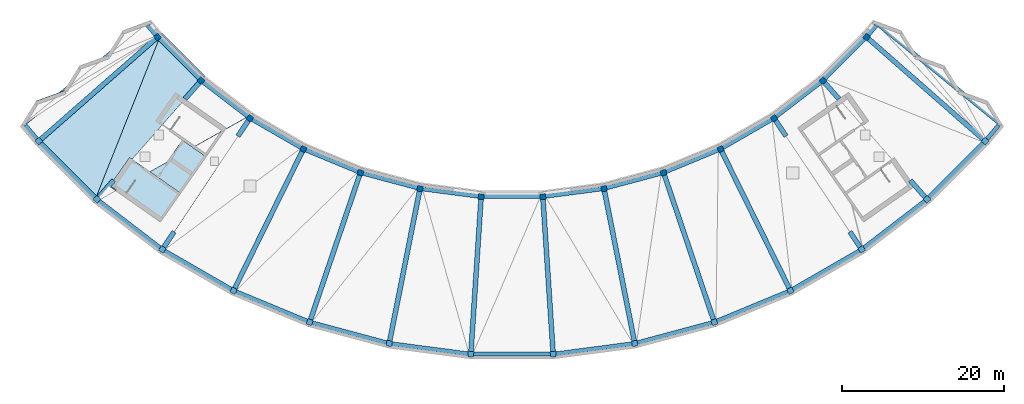
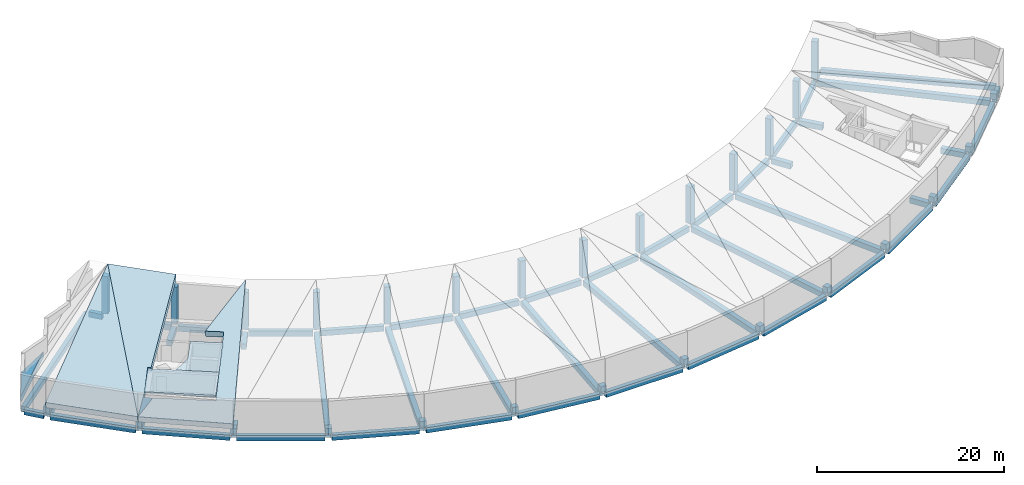
# One storey, part 1 of 6: 50 beams, 28 columns, 7 slabs.
"""IFC4 building model written with IfcOpenShell, lengths in metres."""

from ifc_helpers import new_model, si_unit, direction, frame, origin, origin_2d, place, context, subcontext, project, spatial, polyline, rectangle, outline, extrude, material, layer, layer_set, material_profile, profile_set, type_object, element, save


model = new_model("IFC4")

# Units and contexts
model_context = context("Model", 3, precision=1e-05, world=origin(), true_north=direction((0.0, 1.0)))
body_context = subcontext(model_context, "Body", "Model", "MODEL_VIEW")
ifc_project = project(units=[si_unit("LENGTHUNIT", "METRE"), si_unit("AREAUNIT", "SQUARE_METRE"), si_unit("VOLUMEUNIT", "CUBIC_METRE"), si_unit("PLANEANGLEUNIT", "RADIAN"), si_unit("MASSUNIT", "GRAM", prefix="KILO")], contexts=[model_context])

# Site, building, storey
site_placement = place(None, origin())
site = spatial("IfcSite", under=ifc_project, at=site_placement, CompositionType="ELEMENT")
building_placement = place(site_placement, origin())
building = spatial("IfcBuilding", under=site, at=building_placement, Name="Qamariyya Broadcast Tower", CompositionType="ELEMENT")
storey_placement = place(building_placement, frame((0.0, 0.0, 318.699951171875)))
storey = spatial("IfcBuildingStorey", under=building, at=storey_placement, Name="Roof", CompositionType="ELEMENT", Elevation=318.699951171875)

# Columns
ifc_material_1 = material(Name="Concrete C50/60", Category="concrete")
ifc_material_profile_1 = material_profile(ifc_material_1, rectangle(XDim=0.699951171875, YDim=0.699951171875, at=origin_2d()))
ifc_profile_set_1 = profile_set([ifc_material_profile_1], Name="Concrete C50/60")
column_type_1 = type_object("IfcColumnType", Name="RC column 700 x 700 C50/60 to roof 4875", PredefinedType="COLUMN", material=ifc_profile_set_1)
for number, where, z_axis, x_axis, name in (
    (1, (-43.794677734375, -38.406982421875, 0.0), (0.0, 0.0, 1.0), (0.6593458151, -0.751839807479, 0.0), "Column C14 Roof B-R04"),
    (2, (-38.406982421875, -43.794677734375, 0.0), (0.0, 0.0, 1.0), (0.751839807479, -0.6593458151, 0.0), "Column C14 Roof B-R05"),
    (3, (-32.362060546875, -48.43310546875, 0.0), (0.0, 0.0, 1.0), (0.831469612303, -0.55557023302, 0.0), "Column C14 Roof B-R06"),
    (4, (-25.763427734375, -52.242919921875, 0.0), (0.0, 0.0, 1.0), (0.896872741533, -0.442288690219, 0.0), "Column C14 Roof B-R07"),
    (5, (-18.723876953125, -55.15869140625, 0.0), (0.0, 0.0, 1.0), (0.946930129495, -0.321439465303, 0.0), "Column C14 Roof B-R08"),
    (6, (-11.364013671875, -57.130859375, 0.0), (0.0, 0.0, 1.0), (0.980785280403, -0.195090322016, 0.0), "Column C14 Roof B-R09"),
    (7, (-3.809814453125, -58.125244140625, 0.0), (0.0, 0.0, 1.0), (0.997858923239, -0.06540312923, 0.0), "Column C14 Roof B-R10"),
    (8, (3.809814453125, -58.125244140625, 0.0), (0.0, 0.0, 1.0), (0.997858923239, 0.06540312923, 0.0), "Column C14 Roof B-R11"),
    (9, (11.364013671875, -57.130859375, 0.0), (0.0, 0.0, 1.0), (0.980785280403, 0.195090322016, 0.0), "Column C14 Roof B-R12"),
    (10, (18.723876953125, -55.15869140625, 0.0), (0.0, 0.0, 1.0), (0.946930129495, 0.321439465303, 0.0), "Column C14 Roof B-R13"),
    (11, (25.763427734375, -52.242919921875, 0.0), (0.0, 0.0, 1.0), (0.896872741533, 0.442288690219, 0.0), "Column C14 Roof B-R14"),
    (12, (32.362060546875, -48.43310546875, 0.0), (0.0, 0.0, 1.0), (0.831469612303, 0.55557023302, 0.0), "Column C14 Roof B-R15"),
    (13, (38.406982421875, -43.794677734375, 0.0), (0.0, 0.0, 1.0), (0.751839807479, 0.6593458151, 0.0), "Column C14 Roof B-R16"),
    (14, (43.794677734375, -38.406982421875, 0.0), (0.0, 0.0, 1.0), (0.6593458151, 0.751839807479, 0.0), "Column C14 Roof B-R17"),
):
    element("IfcColumn", number, at=place(storey_placement, frame(where, z_axis=z_axis, x_axis=x_axis)), inside=storey, type_object=column_type_1, Name=name, PredefinedType="COLUMN", context=body_context, shape_type="SweptSolid", body=[
        extrude(rectangle(XDim=0.699951171875, YDim=0.699951171875, at=origin_2d()), origin(), (0.0, 0.0, 1.0), 4.875),
    ])
ifc_material_profile_2 = material_profile(ifc_material_1, rectangle(XDim=0.699951171875, YDim=0.699951171875, at=origin_2d()))
ifc_profile_set_2 = profile_set([ifc_material_profile_2], Name="Concrete C50/60")
column_type_2 = type_object("IfcColumnType", Name="RC column 700 x 700 C50/60 to roof 730", PredefinedType="COLUMN", material=ifc_profile_set_2)
for number, where, z_axis, x_axis, name in (
    (15, (-58.45556640625, -51.26416015625, 0.0), (0.0, 0.0, 1.0), (0.6593458151, -0.751839807479, 0.0), "Column C15 Roof C-R04"),
    (16, (-51.26416015625, -58.45556640625, 0.0), (0.0, 0.0, 1.0), (0.751839807479, -0.6593458151, 0.0), "Column C15 Roof C-R05"),
    (17, (-43.195556640625, -64.646728515625, 0.0), (0.0, 0.0, 1.0), (0.831469612303, -0.55557023302, 0.0), "Column C15 Roof C-R06"),
    (18, (-34.387939453125, -69.73193359375, 0.0), (0.0, 0.0, 1.0), (0.896872741533, -0.442288690219, 0.0), "Column C15 Roof C-R07"),
    (19, (-24.991943359375, -73.623779296875, 0.0), (0.0, 0.0, 1.0), (0.946930129495, -0.321439465303, 0.0), "Column C15 Roof C-R08"),
    (20, (-15.168212890625, -76.256103515625, 0.0), (0.0, 0.0, 1.0), (0.980785280403, -0.195090322016, 0.0), "Column C15 Roof C-R09"),
    (21, (-5.085205078125, -77.58349609375, 0.0), (0.0, 0.0, 1.0), (0.997858923239, -0.06540312923, 0.0), "Column C15 Roof C-R10"),
    (22, (5.085205078125, -77.58349609375, 0.0), (0.0, 0.0, 1.0), (0.997858923239, 0.06540312923, 0.0), "Column C15 Roof C-R11"),
    (23, (15.168212890625, -76.256103515625, 0.0), (0.0, 0.0, 1.0), (0.980785280403, 0.195090322016, 0.0), "Column C15 Roof C-R12"),
    (24, (24.991943359375, -73.623779296875, 0.0), (0.0, 0.0, 1.0), (0.946930129495, 0.321439465303, 0.0), "Column C15 Roof C-R13"),
    (25, (34.387939453125, -69.73193359375, 0.0), (0.0, 0.0, 1.0), (0.896872741533, 0.442288690219, 0.0), "Column C15 Roof C-R14"),
    (26, (43.195556640625, -64.646728515625, 0.0), (0.0, 0.0, 1.0), (0.831469612303, 0.55557023302, 0.0), "Column C15 Roof C-R15"),
    (27, (51.26416015625, -58.45556640625, 0.0), (0.0, 0.0, 1.0), (0.751839807479, 0.6593458151, 0.0), "Column C15 Roof C-R16"),
    (28, (58.45556640625, -51.26416015625, 0.0), (0.0, 0.0, 1.0), (0.6593458151, 0.751839807479, 0.0), "Column C15 Roof C-R17"),
):
    element("IfcColumn", number, at=place(storey_placement, frame(where, z_axis=z_axis, x_axis=x_axis)), inside=storey, type_object=column_type_2, Name=name, PredefinedType="COLUMN", context=body_context, shape_type="SweptSolid", body=[
        extrude(rectangle(XDim=0.699951171875, YDim=0.699951171875, at=origin_2d()), origin(), (0.0, 0.0, 1.0), 0.72998046875),
    ])

# Beams
ifc_material_2 = material(Name="Concrete C40/50", Category="concrete")
ifc_material_profile_3 = material_profile(ifc_material_2, rectangle(XDim=0.5, YDim=0.699951171875, at=origin_2d()))
ifc_profile_set_3 = profile_set([ifc_material_profile_3], Name="Concrete C40/50")
beam_type_1 = type_object("IfcBeamType", Name="RC edge beam 500 x 700 C40/50", PredefinedType="SPANDREL", material=ifc_profile_set_3)
beam_1_placement = place(storey_placement, frame((-43.546630859375, -38.655029296875, -0.599853515625), z_axis=(0.707106781187, -0.707106781187, 0.0), x_axis=(0.707106781187, 0.707106781187, 0.0)))
element("IfcBeam", 29, at=beam_1_placement, inside=storey, type_object=beam_type_1, Name="Edge beam B32 Roof B R04-R05", PredefinedType="SPANDREL", context=body_context, shape_type="SweptSolid", body=[
    extrude(rectangle(XDim=0.5, YDim=0.699951171875, at=origin_2d()), origin(), (0.0, 0.0, 1.0), 6.917724609375),
])
beam_2_placement = place(storey_placement, frame((-38.128662109375, -44.00830078125, -0.599853515625), z_axis=(0.793375122562, -0.608733040749, 0.0), x_axis=(0.608733040749, 0.793375122562, 0.0)))
element("IfcBeam", 30, at=beam_2_placement, inside=storey, type_object=beam_type_1, Name="Edge beam B32 Roof B R05-R06", PredefinedType="SPANDREL", context=body_context, shape_type="SweptSolid", body=[
    extrude(rectangle(XDim=0.5, YDim=0.699951171875, at=origin_2d()), origin(), (0.0, 0.0, 1.0), 6.91796875),
])
beam_3_placement = place(storey_placement, frame((-32.05810546875, -48.6083984375, -0.599853515625), z_axis=(0.866019264387, -0.500010633597, 0.0), x_axis=(0.500010633597, 0.866019264387, 0.0)))
element("IfcBeam", 31, at=beam_3_placement, inside=storey, type_object=beam_type_1, Name="Edge beam B32 Roof B R06-R07", PredefinedType="SPANDREL", context=body_context, shape_type="SweptSolid", body=[
    extrude(rectangle(XDim=0.5, YDim=0.699951171875, at=origin_2d()), origin(), (0.0, 0.0, 1.0), 6.917724609375),
])
for number, where, z_axis, x_axis, name in (
    (32, (-25.439208984375, -52.376953125, -0.599853515625), (0.923875750009, -0.382692564005, 0.0), (0.382692564005, 0.923875750009, 0.0), "Edge beam B32 Roof B R07-R08"),
    (33, (-18.385009765625, -55.24951171875, -0.599853515625), (0.965923791686, -0.258826638225, 0.0), (0.258826638225, 0.965923791686, 0.0), "Edge beam B32 Roof B R08-R09"),
    (34, (-11.016357421875, -57.176513671875, -0.599853515625), (0.991443241272, -0.130538497525, 0.0), (0.130538497525, 0.991443241272, 0.0), "Edge beam B32 Roof B R09-R10"),
    (35, (-3.458984375, -58.125244140625, -0.599853515625), (1.0, 0.0, 0.0), (0.0, 1.0, 0.0), "Edge beam B32 Roof B R10-R11"),
    (36, (4.157470703125, -58.07958984375, -0.599853515625), (0.991443241272, 0.130538497525, 0.0), (-0.130538497525, 0.991443241272, 0.0), "Edge beam B32 Roof B R11-R12"),
    (37, (11.702880859375, -57.0400390625, -0.599853515625), (0.965923791686, 0.258826638225, 0.0), (-0.258826638225, 0.965923791686, 0.0), "Edge beam B32 Roof B R12-R13"),
    (38, (19.0478515625, -55.0244140625, -0.599853515625), (0.923875750009, 0.382692564005, 0.0), (-0.382692564005, 0.923875750009, 0.0), "Edge beam B32 Roof B R13-R14"),
):
    element("IfcBeam", number, at=place(storey_placement, frame(where, z_axis=z_axis, x_axis=x_axis)), inside=storey, type_object=beam_type_1, Name=name, PredefinedType="SPANDREL", context=body_context, shape_type="SweptSolid", body=[
        extrude(rectangle(XDim=0.5, YDim=0.699951171875, at=origin_2d()), origin(), (0.0, 0.0, 1.0), 6.91796875),
    ])
beam_4_placement = place(storey_placement, frame((26.067138671875, -52.0673828125, -0.599853515625), z_axis=(0.866019264387, 0.500010633597, 0.0), x_axis=(-0.500010633597, 0.866019264387, 0.0)))
element("IfcBeam", 39, at=beam_4_placement, inside=storey, type_object=beam_type_1, Name="Edge beam B32 Roof B R14-R15", PredefinedType="SPANDREL", context=body_context, shape_type="SweptSolid", body=[
    extrude(rectangle(XDim=0.5, YDim=0.699951171875, at=origin_2d()), origin(), (0.0, 0.0, 1.0), 6.917724609375),
])
beam_5_placement = place(storey_placement, frame((32.64013671875, -48.219482421875, -0.599853515625), z_axis=(0.793375122562, 0.608733040749, 0.0), x_axis=(-0.608733040749, 0.793375122562, 0.0)))
element("IfcBeam", 40, at=beam_5_placement, inside=storey, type_object=beam_type_1, Name="Edge beam B32 Roof B R15-R16", PredefinedType="SPANDREL", context=body_context, shape_type="SweptSolid", body=[
    extrude(rectangle(XDim=0.5, YDim=0.699951171875, at=origin_2d()), origin(), (0.0, 0.0, 1.0), 6.91796875),
])
beam_6_placement = place(storey_placement, frame((38.655029296875, -43.546630859375, -0.599853515625), z_axis=(0.707106781187, 0.707106781187, 0.0), x_axis=(-0.707106781187, 0.707106781187, 0.0)))
element("IfcBeam", 41, at=beam_6_placement, inside=storey, type_object=beam_type_1, Name="Edge beam B32 Roof B R16-R17", PredefinedType="SPANDREL", context=body_context, shape_type="SweptSolid", body=[
    extrude(rectangle(XDim=0.5, YDim=0.699951171875, at=origin_2d()), origin(), (0.0, 0.0, 1.0), 6.917724609375),
])
beam_7_placement = place(storey_placement, frame((-58.20751953125, -51.51220703125, -0.599853515625), z_axis=(0.707106781187, -0.707106781187, 0.0), x_axis=(0.707106781187, 0.707106781187, 0.0)))
element("IfcBeam", 42, at=beam_7_placement, inside=storey, type_object=beam_type_1, Name="Edge beam B32 Roof C R04-R05", PredefinedType="SPANDREL", context=body_context, shape_type="SweptSolid", body=[
    extrude(rectangle(XDim=0.5, YDim=0.699951171875, at=origin_2d()), origin(), (0.0, 0.0, 1.0), 9.468505859375),
])
for number, where, z_axis, x_axis, name in (
    (43, (-50.98583984375, -58.669189453125, -0.599853515625), (0.793351896926, -0.608763310034, 0.0), (0.608763310034, 0.793351896926, 0.0), "Edge beam B32 Roof C R05-R06"),
    (44, (-42.891845703125, -64.822021484375, -0.599853515625), (0.866025859768, -0.499999210213, 0.0), (0.499999210213, 0.866025859768, 0.0), "Edge beam B32 Roof C R06-R07"),
    (45, (-34.06396484375, -69.865966796875, -0.599853515625), (0.923880447444, -0.382681223514, 0.0), (0.382681223514, 0.923880447444, 0.0), "Edge beam B32 Roof C R07-R08"),
    (46, (-24.653076171875, -73.714599609375, -0.599853515625), (0.965925263205, -0.25882114655, 0.0), (0.25882114655, 0.965925263205, 0.0), "Edge beam B32 Roof C R08-R09"),
    (47, (-14.820556640625, -76.3017578125, -0.599853515625), (0.991442531669, -0.130543886868, 0.0), (0.130543886868, 0.991442531669, 0.0), "Edge beam B32 Roof C R09-R10"),
    (48, (-4.734375, -77.58349609375, -0.599853515625), (1.0, 0.0, 0.0), (0.0, 1.0, 0.0), "Edge beam B32 Roof C R10-R11"),
    (49, (5.432861328125, -77.537841796875, -0.599853515625), (0.991442531669, 0.130543886868, 0.0), (-0.130543886868, 0.991442531669, 0.0), "Edge beam B32 Roof C R11-R12"),
    (50, (15.507080078125, -76.165283203125, -0.599853515625), (0.965925263205, 0.25882114655, 0.0), (-0.25882114655, 0.965925263205, 0.0), "Edge beam B32 Roof C R12-R13"),
    (51, (25.31591796875, -73.489501953125, -0.599853515625), (0.923880447444, 0.382681223514, 0.0), (-0.382681223514, 0.923880447444, 0.0), "Edge beam B32 Roof C R13-R14"),
    (52, (34.691650390625, -69.556396484375, -0.599853515625), (0.866025859768, 0.499999210213, 0.0), (-0.499999210213, 0.866025859768, 0.0), "Edge beam B32 Roof C R14-R15"),
    (53, (43.473876953125, -64.433349609375, -0.599853515625), (0.793351896926, 0.608763310034, 0.0), (-0.608763310034, 0.793351896926, 0.0), "Edge beam B32 Roof C R15-R16"),
):
    element("IfcBeam", number, at=place(storey_placement, frame(where, z_axis=z_axis, x_axis=x_axis)), inside=storey, type_object=beam_type_1, Name=name, PredefinedType="SPANDREL", context=body_context, shape_type="SweptSolid", body=[
        extrude(rectangle(XDim=0.5, YDim=0.699951171875, at=origin_2d()), origin(), (0.0, 0.0, 1.0), 9.46875),
    ])
beam_8_placement = place(storey_placement, frame((51.51220703125, -58.20751953125, -0.599853515625), z_axis=(0.707106781187, 0.707106781187, 0.0), x_axis=(-0.707106781187, 0.707106781187, 0.0)))
element("IfcBeam", 54, at=beam_8_placement, inside=storey, type_object=beam_type_1, Name="Edge beam B32 Roof C R16-R17", PredefinedType="SPANDREL", context=body_context, shape_type="SweptSolid", body=[
    extrude(rectangle(XDim=0.5, YDim=0.699951171875, at=origin_2d()), origin(), (0.0, 0.0, 1.0), 9.468505859375),
])
beam_9_placement = place(storey_placement, frame((-44.020751953125, -38.1396484375, -0.599853515625), z_axis=(-0.645495520921, 0.763764055498, 0.0), x_axis=(-0.763764055498, -0.645495520921, 0.0)))
element("IfcBeam", 55, at=beam_9_placement, inside=storey, type_object=beam_type_1, Name="Horn beam B32 Roof W B-R04", PredefinedType="SPANDREL", context=body_context, shape_type="SweptSolid", body=[
    extrude(rectangle(XDim=0.5, YDim=0.699951171875, at=origin_2d()), origin(), (0.0, 0.0, 1.0), 1.519287109375),
])
beam_10_placement = place(storey_placement, frame((-58.681640625, -50.996826171875, -0.599853515625), z_axis=(-0.645534575363, 0.763731046908, 0.0), x_axis=(-0.763731046908, -0.645534575363, 0.0)))
element("IfcBeam", 56, at=beam_10_placement, inside=storey, type_object=beam_type_1, Name="Horn beam B32 Roof W C-R04", PredefinedType="SPANDREL", context=body_context, shape_type="SweptSolid", body=[
    extrude(rectangle(XDim=0.5, YDim=0.699951171875, at=origin_2d()), origin(), (0.0, 0.0, 1.0), 2.228759765625),
])
beam_11_placement = place(storey_placement, frame((44.020751953125, -38.1396484375, -0.599853515625), z_axis=(0.645495520921, 0.763764055498, 0.0), x_axis=(-0.763764055498, 0.645495520921, 0.0)))
element("IfcBeam", 57, at=beam_11_placement, inside=storey, type_object=beam_type_1, Name="Horn beam B32 Roof E B-R17", PredefinedType="SPANDREL", context=body_context, shape_type="SweptSolid", body=[
    extrude(rectangle(XDim=0.5, YDim=0.699951171875, at=origin_2d()), origin(), (0.0, 0.0, 1.0), 1.519287109375),
])
beam_12_placement = place(storey_placement, frame((58.681640625, -50.996826171875, -0.599853515625), z_axis=(0.645534575363, 0.763731046908, 0.0), x_axis=(-0.763731046908, 0.645534575363, 0.0)))
element("IfcBeam", 58, at=beam_12_placement, inside=storey, type_object=beam_type_1, Name="Horn beam B32 Roof E C-R17", PredefinedType="SPANDREL", context=body_context, shape_type="SweptSolid", body=[
    extrude(rectangle(XDim=0.5, YDim=0.699951171875, at=origin_2d()), origin(), (0.0, 0.0, 1.0), 2.228759765625),
])
ifc_material_profile_4 = material_profile(ifc_material_2, rectangle(XDim=0.5, YDim=0.699951171875, at=origin_2d()))
ifc_profile_set_4 = profile_set([ifc_material_profile_4], Name="Concrete C40/50")
beam_type_2 = type_object("IfcBeamType", Name="RC horn cap beam 500 x 700 C40/50", PredefinedType="BEAM", material=ifc_profile_set_4)
for number, where, z_axis, x_axis, name in (
    (59, (-45.356689453125, -36.9462890625, -0.599853515625), (-0.775330061416, -0.631556249169, 0.0), (0.631556249169, -0.775330061416, 0.0), "Horn cap beam B21 Roof W B-C"),
    (60, (45.356689453125, -36.9462890625, -0.599853515625), (0.775330061416, -0.631556249169, 0.0), (0.631556249169, 0.775330061416, 0.0), "Horn cap beam B21 Roof E B-C"),
):
    element("IfcBeam", number, at=place(storey_placement, frame(where, z_axis=z_axis, x_axis=x_axis)), inside=storey, type_object=beam_type_2, Name=name, PredefinedType="BEAM", context=body_context, shape_type="SweptSolid", body=[
        extrude(rectangle(XDim=0.5, YDim=0.699951171875, at=origin_2d()), origin(), (0.0, 0.0, 1.0), 19.0),
    ])
ifc_material_profile_5 = material_profile(ifc_material_2, rectangle(XDim=0.60009765625, YDim=0.699951171875, at=origin_2d()))
ifc_profile_set_5 = profile_set([ifc_material_profile_5], Name="Concrete C40/50")
beam_type_3 = type_object("IfcBeamType", Name="RC radial beam 600 x 700 C40/50", PredefinedType="BEAM", material=ifc_profile_set_5)
beam_13_placement = place(storey_placement, frame((-44.057861328125, -38.6376953125, -0.599853515625), z_axis=(-0.751836925538, -0.65934910131, 0.0), x_axis=(0.65934910131, -0.751836925538, 0.0)))
element("IfcBeam", 61, at=beam_13_placement, inside=storey, type_object=beam_type_3, Name="Radial beam B31 Roof R04 B-C", PredefinedType="BEAM", context=body_context, shape_type="SweptSolid", body=[
    extrude(rectangle(XDim=0.60009765625, YDim=0.699951171875, at=origin_2d()), origin(), (0.0, 0.0, 1.0), 18.800048828125),
])
beam_14_placement = place(storey_placement, frame((-38.6376953125, -44.057861328125, -0.599853515625), z_axis=(-0.659360583473, -0.751826855707, 0.0), x_axis=(0.751826855707, -0.659360583473, 0.0)))
element("IfcBeam", 62, at=beam_14_placement, inside=storey, type_object=beam_type_3, Name="Radial beam B31 Roof R05 B-C", PredefinedType="BEAM", context=body_context, shape_type="SweptSolid", body=[
    extrude(rectangle(XDim=0.60009765625, YDim=0.699951171875, at=origin_2d()), origin(), (0.0, 0.0, 1.0), 2.6640625),
])
beam_15_placement = place(storey_placement, frame((-49.1943359375, -56.095458984375, -0.599853515625), z_axis=(-0.65937793397, -0.751811638772, 0.0), x_axis=(0.751811638772, -0.65937793397, 0.0)))
element("IfcBeam", 63, at=beam_15_placement, inside=storey, type_object=beam_type_3, Name="Radial beam B31 Roof R05 B-C", PredefinedType="BEAM", context=body_context, shape_type="SweptSolid", body=[
    extrude(rectangle(XDim=0.60009765625, YDim=0.699951171875, at=origin_2d()), origin(), (0.0, 0.0, 1.0), 2.7890625),
])
beam_16_placement = place(storey_placement, frame((-32.556396484375, -48.72412109375, -0.599853515625), z_axis=(-0.55560056879, -0.831449341789, 0.0), x_axis=(0.831449341789, -0.55560056879, 0.0)))
element("IfcBeam", 64, at=beam_16_placement, inside=storey, type_object=beam_type_3, Name="Radial beam B31 Roof R06 B-C", PredefinedType="BEAM", context=body_context, shape_type="SweptSolid", body=[
    extrude(rectangle(XDim=0.60009765625, YDim=0.699951171875, at=origin_2d()), origin(), (0.0, 0.0, 1.0), 2.314453125),
])
beam_17_placement = place(storey_placement, frame((-41.733154296875, -62.458251953125, -0.599853515625), z_axis=(-0.555637948671, -0.831424362162, 0.0), x_axis=(0.831424362162, -0.555637948671, 0.0)))
element("IfcBeam", 65, at=beam_17_placement, inside=storey, type_object=beam_type_3, Name="Radial beam B31 Roof R06 B-C", PredefinedType="BEAM", context=body_context, shape_type="SweptSolid", body=[
    extrude(rectangle(XDim=0.60009765625, YDim=0.699951171875, at=origin_2d()), origin(), (0.0, 0.0, 1.0), 2.2822265625),
])
for number, where, z_axis, x_axis, name in (
    (66, (-25.918212890625, -52.556640625, -0.599853515625), (-0.442282467602, -0.896875810161, 0.0), (0.896875810161, -0.442282467602, 0.0), "Radial beam B31 Roof R07 B-C"),
    (67, (-18.83642578125, -55.489990234375, -0.599853515625), (-0.321431720628, -0.946932758423, 0.0), (0.946932758423, -0.321431720628, 0.0), "Radial beam B31 Roof R08 B-C"),
    (68, (-11.432373046875, -57.47412109375, -0.599853515625), (-0.195092114034, -0.980784923947, 0.0), (0.980784923947, -0.195092114034, 0.0), "Radial beam B31 Roof R09 B-C"),
    (69, (-3.83251953125, -58.474609375, -0.599853515625), (-0.065411408937, -0.997858380523, 0.0), (0.997858380523, -0.065411408937, 0.0), "Radial beam B31 Roof R10 B-C"),
    (70, (3.83251953125, -58.474609375, -0.599853515625), (0.065411408937, -0.997858380523, 0.0), (0.997858380523, 0.065411408937, 0.0), "Radial beam B31 Roof R11 B-C"),
    (71, (11.432373046875, -57.47412109375, -0.599853515625), (0.195092114034, -0.980784923947, 0.0), (0.980784923947, 0.195092114034, 0.0), "Radial beam B31 Roof R12 B-C"),
    (72, (18.83642578125, -55.489990234375, -0.599853515625), (0.321431720628, -0.946932758423, 0.0), (0.946932758423, 0.321431720628, 0.0), "Radial beam B31 Roof R13 B-C"),
    (73, (25.918212890625, -52.556640625, -0.599853515625), (0.442282467602, -0.896875810161, 0.0), (0.896875810161, 0.442282467602, 0.0), "Radial beam B31 Roof R14 B-C"),
):
    element("IfcBeam", number, at=place(storey_placement, frame(where, z_axis=z_axis, x_axis=x_axis)), inside=storey, type_object=beam_type_3, Name=name, PredefinedType="BEAM", context=body_context, shape_type="SweptSolid", body=[
        extrude(rectangle(XDim=0.60009765625, YDim=0.699951171875, at=origin_2d()), origin(), (0.0, 0.0, 1.0), 18.800048828125),
    ])
beam_18_placement = place(storey_placement, frame((32.556396484375, -48.72412109375, -0.599853515625), z_axis=(0.55560056879, -0.831449341789, 0.0), x_axis=(0.831449341789, 0.55560056879, 0.0)))
element("IfcBeam", 74, at=beam_18_placement, inside=storey, type_object=beam_type_3, Name="Radial beam B31 Roof R15 B-C", PredefinedType="BEAM", context=body_context, shape_type="SweptSolid", body=[
    extrude(rectangle(XDim=0.60009765625, YDim=0.699951171875, at=origin_2d()), origin(), (0.0, 0.0, 1.0), 2.314453125),
])
beam_19_placement = place(storey_placement, frame((41.733154296875, -62.458251953125, -0.599853515625), z_axis=(0.555637948671, -0.831424362162, 0.0), x_axis=(0.831424362162, 0.555637948671, 0.0)))
element("IfcBeam", 75, at=beam_19_placement, inside=storey, type_object=beam_type_3, Name="Radial beam B31 Roof R15 B-C", PredefinedType="BEAM", context=body_context, shape_type="SweptSolid", body=[
    extrude(rectangle(XDim=0.60009765625, YDim=0.699951171875, at=origin_2d()), origin(), (0.0, 0.0, 1.0), 2.2822265625),
])
beam_20_placement = place(storey_placement, frame((38.6376953125, -44.057861328125, -0.599853515625), z_axis=(0.659360583473, -0.751826855707, 0.0), x_axis=(0.751826855707, 0.659360583473, 0.0)))
element("IfcBeam", 76, at=beam_20_placement, inside=storey, type_object=beam_type_3, Name="Radial beam B31 Roof R16 B-C", PredefinedType="BEAM", context=body_context, shape_type="SweptSolid", body=[
    extrude(rectangle(XDim=0.60009765625, YDim=0.699951171875, at=origin_2d()), origin(), (0.0, 0.0, 1.0), 2.6640625),
])
beam_21_placement = place(storey_placement, frame((49.1943359375, -56.095458984375, -0.599853515625), z_axis=(0.65937793397, -0.751811638772, 0.0), x_axis=(0.751811638772, 0.65937793397, 0.0)))
element("IfcBeam", 77, at=beam_21_placement, inside=storey, type_object=beam_type_3, Name="Radial beam B31 Roof R16 B-C", PredefinedType="BEAM", context=body_context, shape_type="SweptSolid", body=[
    extrude(rectangle(XDim=0.60009765625, YDim=0.699951171875, at=origin_2d()), origin(), (0.0, 0.0, 1.0), 2.7890625),
])
beam_22_placement = place(storey_placement, frame((44.057861328125, -38.6376953125, -0.599853515625), z_axis=(0.751836925538, -0.65934910131, 0.0), x_axis=(0.65934910131, 0.751836925538, 0.0)))
element("IfcBeam", 78, at=beam_22_placement, inside=storey, type_object=beam_type_3, Name="Radial beam B31 Roof R17 B-C", PredefinedType="BEAM", context=body_context, shape_type="SweptSolid", body=[
    extrude(rectangle(XDim=0.60009765625, YDim=0.699951171875, at=origin_2d()), origin(), (0.0, 0.0, 1.0), 18.800048828125),
])

# Slabs
ifc_layer_1 = layer(ifc_material_2, 0.25)
ifc_layer_set_1 = layer_set([ifc_layer_1], Name="Head-house cap slab 250 mm Concrete C40/50")
slab_type_1 = type_object("IfcSlabType", Name="Head-house cap slab 250 mm Concrete C40/50", PredefinedType="FLOOR", material=ifc_layer_set_1)
slab_1_placement = place(storey_placement, frame((0.0, 0.0, 2.60009765625)))
element("IfcSlab", 79, at=slab_1_placement, inside=storey, type_object=slab_type_1, Name="k-W-Roof-HCOV", PredefinedType="FLOOR", context=body_context, shape_type="SweptSolid", body=[
    extrude(outline(polyline([(-42.629150390625, -53.859130859375), (-40.724853515625, -51.1396484375), (-37.77587890625, -53.20458984375), (-40.9306640625, -57.7099609375), (-44.742919921875, -55.04052734375), (-42.629150390625, -53.859130859375)])), origin(), (0.0, 0.0, 1.0), 0.25),
])
slab_2_placement = place(storey_placement, frame((0.0, 0.0, 2.60009765625)))
element("IfcSlab", 80, at=slab_2_placement, inside=storey, type_object=slab_type_1, Name="k-W-Roof-HCSH", PredefinedType="FLOOR", context=body_context, shape_type="SweptSolid", body=[
    extrude(outline(polyline([(-43.425537109375, -61.273193359375), (-49.729248046875, -56.859375), (-47.234130859375, -53.296142578125), (-40.9306640625, -57.7099609375), (-43.425537109375, -61.273193359375)])), origin(), (0.0, 0.0, 1.0), 0.25),
])
ifc_layer_2 = layer(ifc_material_1, 0.800048828125)
ifc_layer_set_2 = layer_set([ifc_layer_2], Name="Roof slab 800 C50/60")
slab_type_2 = type_object("IfcSlabType", Name="Roof slab 800 C50/60", PredefinedType="ROOF", material=ifc_layer_set_2)
slab_3_placement = place(storey_placement, frame((-58.822509765625, -46.367431640625, 2.2333984375), z_axis=(-0.162261560651, -0.130046157591, 0.978140676401), x_axis=(-0.515298200847, -0.834205156408, -0.196391245286)))
element("IfcSlab", 81, at=slab_3_placement, inside=storey, type_object=slab_type_2, Name="Sloped roof slab S1 facet 1", PredefinedType="ROOF", context=body_context, shape_type="SweptSolid", body=[
    extrude(outline(polyline([(0.0, 0.0), (3.7343743934790465, 1.457167719820518e-16), (-2.9455232176977493, 2.2667233059033163), (0.0, 0.0)])), origin(), (0.0, 0.0, -1.0), 0.800048828125),
])
slab_4_placement = place(storey_placement, frame((-43.343505859375, -38.01123046875, 5.89990234375), z_axis=(-0.147316328728, -0.147316328728, 0.978057155068), x_axis=(-0.735414125188, -0.644933742051, -0.207909915198)))
element("IfcSlab", 82, at=slab_4_placement, inside=storey, type_object=slab_type_2, Name="Sloped roof slab S1 facet 8", PredefinedType="ROOF", context=body_context, shape_type="SweptSolid", body=[
    extrude(outline(polyline([(0.0, 0.0), (21.16254214982794, -1.0130785099704553e-15), (20.50682445133023, 10.22790743644635), (0.0, 0.0)])), origin(), (0.0, 0.0, -1.0), 0.800048828125),
])
slab_5_placement = place(storey_placement, frame((-43.343505859375, -38.011474609375, 5.89990234375), z_axis=(-0.147327329052, -0.147312927774, 0.978056010372), x_axis=(-0.362897037703, -0.9118336726, -0.192002847739)))
element("IfcSlab", 83, at=slab_5_placement, inside=storey, type_object=slab_type_2, Name="Sloped roof slab S1 facet 9", PredefinedType="ROOF", context=body_context, shape_type="SweptSolid", body=[
    extrude(outline(polyline([(0.0, 0.0), (22.915398174634397, -5.551115123125783e-16), (19.305136780994335, 1.2549496932902364), (15.90319947696586, 2.0441442838046107), (15.985016335749386, 2.409426980002241), (2.926947291541576, 6.949395228981738), (0.0, 0.0)])), origin(), (0.0, 0.0, -1.0), 0.800048828125),
])
slab_6_placement = place(storey_placement, frame((-43.529052734375, -65.1455078125, 1.5), z_axis=(-0.126815588921, -0.165303844088, 0.978055440932), x_axis=(0.543434586865, 0.81329475694, 0.20791942702)))
element("IfcSlab", 84, at=slab_6_placement, inside=storey, type_object=slab_type_2, Name="Sloped roof slab S1 facet 10", PredefinedType="ROOF", context=body_context, shape_type="SweptSolid", body=[
    extrude(outline(polyline([(0.0, 0.0), (21.16255061948063, -2.067790383364354e-15), (13.45141009257004, 3.845802165452138), (13.41268221536725, 1.8506939755409386), (7.790799062530499, 1.9705229502736008), (3.344669250914426, 2.0656222787423935), (3.475227271220316, 8.82119768911628), (0.6558322514251094, 10.227321726738369), (0.0, 0.0)])), origin(), (0.0, 0.0, -1.0), 0.800048828125),
])
slab_7_placement = place(storey_placement, frame((-49.194580078125, -56.095458984375, 2.294677734375), z_axis=(-0.126873804938, -0.165252471505, 0.978056572128), x_axis=(-0.644882380669, -0.735457104358, -0.207917201673)))
element("IfcSlab", 85, at=slab_7_placement, inside=storey, type_object=slab_type_2, Name="Sloped roof slab S1 facet 11", PredefinedType="ROOF", context=body_context, shape_type="SweptSolid", body=[
    extrude(outline(polyline([(0.0, 0.0), (3.82215725250531, 9.194034422677078e-17), (0.8463801548801774, 1.0348544612478257), (0.9482311322381447, 0.10161816394217096), (0.0, 0.0)])), origin(), (0.0, 0.0, -1.0), 0.800048828125),
])

save(model, "model.ifc")
